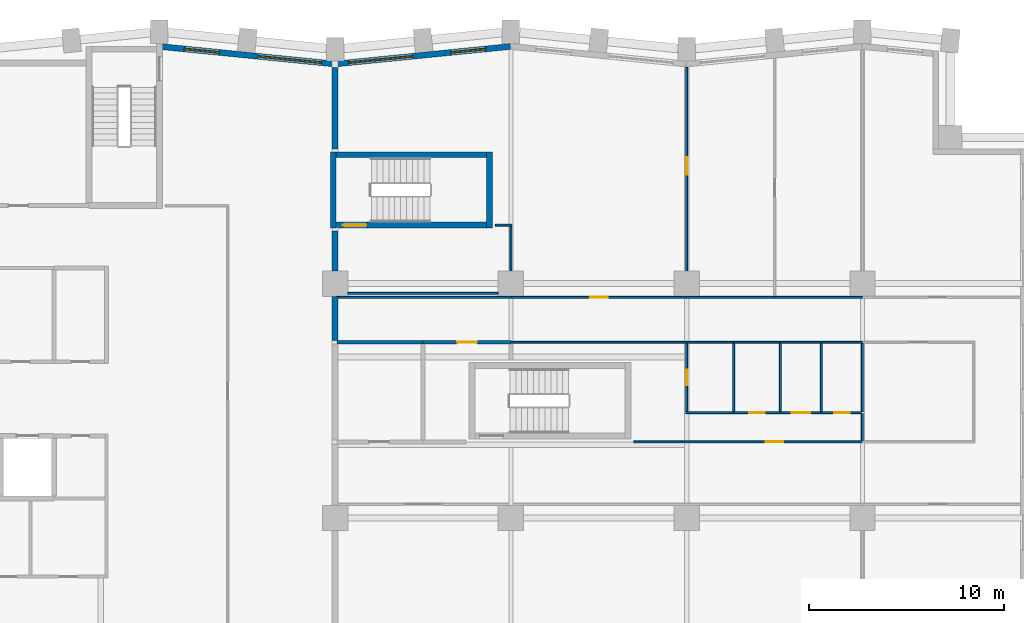
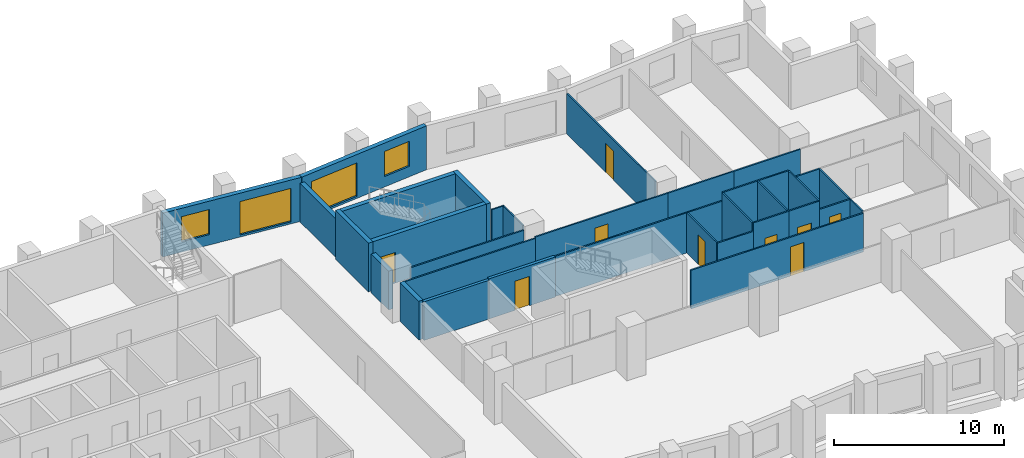
# One storey, part 7 of 11: 35 walls, 9 doors, 4 windows, 13 openings.
"""IFC4 building model written with IfcOpenShell, lengths in metres."""

from ifc_helpers import new_model, si_unit, direction, frame, frame_2d, origin, place, context, subcontext, project, spatial, rectangle, extrude, material, layer, layer_set, type_object, element, fill, save


model = new_model("IFC4")

# Units and contexts
model_context = context("Model", 3, precision=1e-05, world=origin(), true_north=direction((0.0, 1.0)))
body_context = subcontext(model_context, "Body", "Model", "MODEL_VIEW")
ifc_project = project(units=[si_unit("LENGTHUNIT", "METRE"), si_unit("AREAUNIT", "SQUARE_METRE"), si_unit("VOLUMEUNIT", "CUBIC_METRE"), si_unit("PLANEANGLEUNIT", "RADIAN"), si_unit("MASSUNIT", "GRAM", prefix="KILO")], contexts=[model_context])

# Site, building, storey
site_placement = place(None, origin())
site = spatial("IfcSite", under=ifc_project, at=site_placement, CompositionType="ELEMENT")
building_placement = place(site_placement, origin())
building = spatial("IfcBuilding", under=site, at=building_placement, Name="Brondeck Convention Tower", CompositionType="ELEMENT")
storey_placement = place(building_placement, frame((0.0, 0.0, 115.10009765625)))
storey = spatial("IfcBuildingStorey", under=building, at=storey_placement, Name="L27", CompositionType="ELEMENT", Elevation=115.10009765625)

# Walls
ifc_material_1 = material(Name="Concrete compartment wall C30/37", Category="concrete")
ifc_layer_1 = layer(ifc_material_1, 0.300048828125)
ifc_layer_set_1 = layer_set([ifc_layer_1], Name="Compartment wall 300")
wall_type_1 = type_object("IfcWallType", Name="Compartment wall 300", PredefinedType="PARTITIONING", material=ifc_layer_set_1)
wall_1_placement = place(storey_placement, frame((36.0, 48.10009765625, 0.0), z_axis=(0.0, 0.0, 1.0), x_axis=(0.0, 1.0, 0.0)))
element("IfcWall", 1, at=wall_1_placement, inside=storey, type_object=wall_type_1, Name="FLR-L27-W054", PredefinedType="PARTITIONING", context=body_context, shape_type="SweptSolid", body=[
    extrude(rectangle(XDim=2.22998046875, YDim=0.300048828125, at=frame_2d((1.114990234375, 0.0))), origin(), (0.0, 0.0, 1.0), 2.77978515625),
])
wall_2_placement = place(storey_placement, frame((36.0, 51.655029296875, 0.0), z_axis=(0.0, 0.0, 1.0), x_axis=(0.0, 1.0, 0.0)))
element("IfcWall", 2, at=wall_2_placement, inside=storey, type_object=wall_type_1, Name="FLR-L27-W061", PredefinedType="PARTITIONING", context=body_context, shape_type="SweptSolid", body=[
    extrude(rectangle(XDim=2.044921875, YDim=0.300048828125, at=frame_2d((1.0224609375, 0.0))), origin(), (0.0, 0.0, 1.0), 2.77978515625),
])
wall_3_placement = place(storey_placement, frame((36.0, 57.89990234375, 0.0), z_axis=(0.0, 0.0, 1.0), x_axis=(0.0, 1.0, 0.0)))
element("IfcWall", 3, at=wall_3_placement, inside=storey, type_object=wall_type_1, Name="FLR-L27-W066", PredefinedType="PARTITIONING", context=body_context, shape_type="SweptSolid", body=[
    extrude(rectangle(XDim=4.175537109375, YDim=0.300048828125, at=frame_2d((2.087890625, 0.0))), origin(), (0.0, 0.0, 1.0), 2.77978515625),
])

# Wall, openings, windows
ifc_material_2 = material(Name="Precast concrete C50/60 bronze finish", Category="concrete")
ifc_layer_2 = layer(ifc_material_2, 0.070068359375, Name="Bronze precast facing")
ifc_material_3 = material(Name="Mineral wool")
ifc_layer_3 = layer(ifc_material_3, 0.159912109375, Name="Insulation")
ifc_material_4 = material(Name="Concrete C35/45", Category="concrete")
ifc_layer_4 = layer(ifc_material_4, 0.070068359375, Name="Backing")
ifc_layer_set_2 = layer_set([ifc_layer_2, ifc_layer_3, ifc_layer_4], Name="External infill wall, precast concrete C50/60 bronze facing")
wall_type_2 = type_object("IfcWallType", Name="External infill wall, precast concrete C50/60 bronze facing", PredefinedType="SOLIDWALL", material=ifc_layer_set_2)
wall_4_placement = place(storey_placement, frame((35.985107421875, 62.244873046875, 0.0), z_axis=(0.0, 0.0, 1.0), x_axis=(0.995037993253, 0.099495688264, 0.0)))
wall_4 = element("IfcWall", 4, at=wall_4_placement, inside=storey, type_object=wall_type_2, Name="ENV-EW-L27-P0-A-N-09", PredefinedType="SOLIDWALL", context=body_context, shape_type="SweptSolid", body=[
    extrude(rectangle(XDim=9.030029296875, YDim=0.300048828125, at=frame_2d((4.51513671875, 0.0))), origin(), (0.0, 0.0, 1.0), 3.14990234375),
])
opening_1_placement = place(wall_4_placement, frame((0.701171875, 0.0, 0.14990234375)))
opening_1 = element("IfcOpeningElement", 5, at=opening_1_placement, cuts=wall_4, Name="Opening W9", PredefinedType="OPENING", context=body_context, shape_type="SweptSolid", body=[
    extrude(rectangle(XDim=3.300048828125, YDim=2.39990234375, at=frame_2d((1.64990234375, 1.199951171875))), frame((0.0, 0.159912109375, 0.0), z_axis=(0.0, -1.0, 0.0), x_axis=(1.0, 0.0, 0.0)), (0.0, 0.0, 1.0), 0.320068359375),
])
opening_2_placement = place(wall_4_placement, frame((5.9736328125, 0.0, 0.75)))
opening_2 = element("IfcOpeningElement", 6, at=opening_2_placement, cuts=wall_4, Name="Opening W10", PredefinedType="OPENING", context=body_context, shape_type="SweptSolid", body=[
    extrude(rectangle(XDim=1.800048828125, YDim=1.800048828125, at=frame_2d((0.89990234375, 0.89990234375))), frame((0.0, 0.159912109375, 0.0), z_axis=(0.0, -1.0, 0.0), x_axis=(1.0, 0.0, 0.0)), (0.0, 0.0, 1.0), 0.320068359375),
])
ifc_material_5 = material(Name="Bronze tinted double glazing", Category="glass")
window_type_1 = type_object("IfcWindowType", Name="Glazed flute window, bronze tinted", PartitioningType="SINGLE_PANEL", PredefinedType="WINDOW", material=ifc_material_5)
window_1_placement = place(opening_1_placement, origin())
window_1 = element("IfcWindow", 7, at=window_1_placement, inside=storey, type_object=window_type_1, Name="ENV-WN-L27-P0-A-N-08", OverallHeight=2.39990234375, OverallWidth=3.300048828125, PartitioningType="SINGLE_PANEL", PredefinedType="WINDOW", context=body_context, shape_type="SweptSolid", body=[
    extrude(rectangle(XDim=3.300048828125, YDim=2.39990234375, at=frame_2d((1.64990234375, 1.199951171875))), frame((0.0, 0.030029296875, 0.0), z_axis=(0.0, -1.0, 0.0), x_axis=(1.0, 0.0, 0.0)), (0.0, 0.0, 1.0), 0.06005859375),
])
fill(opening_1, window_1)
window_type_2 = type_object("IfcWindowType", Name="Punched window, bronze tinted", PartitioningType="SINGLE_PANEL", PredefinedType="WINDOW", material=ifc_material_5)
window_2_placement = place(opening_2_placement, origin())
window_2 = element("IfcWindow", 8, at=window_2_placement, inside=storey, type_object=window_type_2, Name="ENV-WN-L27-P0-A-N-09", OverallHeight=1.800048828125, OverallWidth=1.800048828125, PartitioningType="SINGLE_PANEL", PredefinedType="WINDOW", context=body_context, shape_type="SweptSolid", body=[
    extrude(rectangle(XDim=1.800048828125, YDim=1.800048828125, at=frame_2d((0.89990234375, 0.89990234375))), frame((0.0, 0.030029296875, 0.0), z_axis=(0.0, -1.0, 0.0), x_axis=(1.0, 0.0, 0.0)), (0.0, 0.0, 1.0), 0.06005859375),
])
fill(opening_2, window_2)

wall_5_placement = place(storey_placement, frame((27.07470703125, 63.138916015625, 0.0), z_axis=(0.0, 0.0, 1.0), x_axis=(0.995036108601, -0.099514534519, 0.0)))
wall_5 = element("IfcWall", 9, at=wall_5_placement, inside=storey, type_object=wall_type_2, Name="ENV-EW-L27-P0-A-N-07", PredefinedType="SOLIDWALL", context=body_context, shape_type="SweptSolid", body=[
    extrude(rectangle(XDim=8.93994140625, YDim=0.300048828125, at=frame_2d((4.469970703125, 0.0))), origin(), (0.0, 0.0, 1.0), 3.14990234375),
])
opening_3_placement = place(wall_5_placement, frame((1.211181640625, 0.0, 0.75)))
opening_3 = element("IfcOpeningElement", 10, at=opening_3_placement, cuts=wall_5, Name="Opening W10", PredefinedType="OPENING", context=body_context, shape_type="SweptSolid", body=[
    extrude(rectangle(XDim=1.800048828125, YDim=1.800048828125, at=frame_2d((0.89990234375, 0.89990234375))), frame((0.0, 0.159912109375, 0.0), z_axis=(0.0, -1.0, 0.0), x_axis=(1.0, 0.0, 0.0)), (0.0, 0.0, 1.0), 0.320068359375),
])
opening_4_placement = place(wall_5_placement, frame((4.983642578125, 0.0, 0.14990234375)))
opening_4 = element("IfcOpeningElement", 11, at=opening_4_placement, cuts=wall_5, Name="Opening W9", PredefinedType="OPENING", context=body_context, shape_type="SweptSolid", body=[
    extrude(rectangle(XDim=3.300048828125, YDim=2.39990234375, at=frame_2d((1.64990234375, 1.199951171875))), frame((0.0, 0.159912109375, 0.0), z_axis=(0.0, -1.0, 0.0), x_axis=(1.0, 0.0, 0.0)), (0.0, 0.0, 1.0), 0.320068359375),
])
window_3_placement = place(opening_4_placement, origin())
window_3 = element("IfcWindow", 12, at=window_3_placement, inside=storey, type_object=window_type_1, Name="ENV-WN-L27-P0-A-N-07", OverallHeight=2.39990234375, OverallWidth=3.300048828125, PartitioningType="SINGLE_PANEL", PredefinedType="WINDOW", context=body_context, shape_type="SweptSolid", body=[
    extrude(rectangle(XDim=3.300048828125, YDim=2.39990234375, at=frame_2d((1.64990234375, 1.199951171875))), frame((0.0, 0.030029296875, 0.0), z_axis=(0.0, -1.0, 0.0), x_axis=(1.0, 0.0, 0.0)), (0.0, 0.0, 1.0), 0.06005859375),
])
fill(opening_4, window_3)
window_4_placement = place(opening_3_placement, origin())
window_4 = element("IfcWindow", 13, at=window_4_placement, inside=storey, type_object=window_type_2, Name="ENV-WN-L27-P0-A-N-06", OverallHeight=1.800048828125, OverallWidth=1.800048828125, PartitioningType="SINGLE_PANEL", PredefinedType="WINDOW", context=body_context, shape_type="SweptSolid", body=[
    extrude(rectangle(XDim=1.800048828125, YDim=1.800048828125, at=frame_2d((0.89990234375, 0.89990234375))), frame((0.0, 0.030029296875, 0.0), z_axis=(0.0, -1.0, 0.0), x_axis=(1.0, 0.0, 0.0)), (0.0, 0.0, 1.0), 0.06005859375),
])
fill(opening_3, window_4)

# Wall
ifc_material_6 = material(Name="Concrete block wall C16/20", Category="concrete")
ifc_layer_5 = layer(ifc_material_6, 0.199951171875)
ifc_layer_set_3 = layer_set([ifc_layer_5], Name="Plant room wall 200")
wall_type_3 = type_object("IfcWallType", Name="Plant room wall 200", PredefinedType="PARTITIONING", material=ifc_layer_set_3)
wall_6_placement = place(storey_placement, frame((40.5, 48.0, 0.0), z_axis=(0.0, 0.0, 1.0), x_axis=(-1.0, 0.0, 0.0)))
element("IfcWall", 14, at=wall_6_placement, inside=storey, type_object=wall_type_3, Name="FLR-L27-W046", PredefinedType="PARTITIONING", context=body_context, shape_type="SweptSolid", body=[
    extrude(rectangle(XDim=4.39990234375, YDim=0.199951171875, at=frame_2d((2.199951171875, 0.0))), origin(), (0.0, 0.0, 1.0), 2.77978515625),
])

# Wall, opening, door
wall_7_placement = place(storey_placement, frame((45.0, 48.0, 0.0), z_axis=(0.0, 0.0, 1.0), x_axis=(-1.0, 0.0, 0.0)))
wall_7 = element("IfcWall", 15, at=wall_7_placement, inside=storey, type_object=wall_type_3, Name="FLR-L27-W047", PredefinedType="PARTITIONING", context=body_context, shape_type="SweptSolid", body=[
    extrude(rectangle(XDim=4.5, YDim=0.199951171875, at=frame_2d((2.25, 0.0))), origin(), (0.0, 0.0, 1.0), 2.8798828125),
])
opening_5_placement = place(wall_7_placement, frame((1.75, 0.0, 0.0)))
opening_5 = element("IfcOpeningElement", 16, at=opening_5_placement, cuts=wall_7, Name="Opening OF-C-003", PredefinedType="OPENING", context=body_context, shape_type="SweptSolid", body=[
    extrude(rectangle(XDim=1.0, YDim=2.10009765625, at=frame_2d((0.5, 1.050048828125))), frame((0.0, 0.10986328125, 0.0), z_axis=(0.0, -1.0, 0.0), x_axis=(1.0, 0.0, 0.0)), (0.0, 0.0, 1.0), 0.219970703125),
])
ifc_material_7 = material(Name="Steel fire door leaf", Category="steel")
door_type_1 = type_object("IfcDoorType", Name="Plant room door 1000", OperationType="NOTDEFINED", PredefinedType="DOOR", material=ifc_material_7)
door_1_placement = place(opening_5_placement, origin())
door_1 = element("IfcDoor", 17, at=door_1_placement, inside=storey, type_object=door_type_1, Name="Door OF-C-003", OperationType="SINGLE_SWING_LEFT", OverallHeight=2.10009765625, OverallWidth=1.0, PredefinedType="DOOR", context=body_context, shape_type="SweptSolid", body=[
    extrude(rectangle(XDim=1.0, YDim=2.10009765625, at=frame_2d((0.5, 1.050048828125))), frame((0.0, 0.02490234375, 0.0), z_axis=(0.0, -1.0, 0.0), x_axis=(1.0, 0.0, 0.0)), (0.0, 0.0, 1.0), 0.050048828125),
])
fill(opening_5, door_1)

ifc_material_8 = material(Name="Gypsum board partition on steel studs", Category="steel")
ifc_layer_6 = layer(ifc_material_8, 0.10009765625)
ifc_layer_set_4 = layer_set([ifc_layer_6], Name="Room partition 100")
wall_type_4 = type_object("IfcWallType", Name="Room partition 100", PredefinedType="PARTITIONING", material=ifc_layer_set_4)
wall_8_placement = place(storey_placement, frame((51.300048828125, 42.89990234375, 0.0), z_axis=(0.0, 0.0, 1.0), x_axis=(1.0, 0.0, 0.0)))
wall_8 = element("IfcWall", 18, at=wall_8_placement, inside=storey, type_object=wall_type_4, Name="FLR-L27-W030", PredefinedType="PARTITIONING", context=body_context, shape_type="SweptSolid", body=[
    extrude(rectangle(XDim=11.699951171875, YDim=0.10009765625, at=frame_2d((5.85009765625, 0.0))), origin(), (0.0, 0.0, 1.0), 2.77978515625),
])
opening_6_placement = place(wall_8_placement, frame((6.75, 0.0, 0.0)))
opening_6 = element("IfcOpeningElement", 19, at=opening_6_placement, cuts=wall_8, Name="Opening OF-C-004", PredefinedType="OPENING", context=body_context, shape_type="SweptSolid", body=[
    extrude(rectangle(XDim=0.89990234375, YDim=2.10009765625, at=frame_2d((0.449951171875, 1.050048828125))), frame((0.0, 0.06005859375, 0.0), z_axis=(0.0, -1.0, 0.0), x_axis=(1.0, 0.0, 0.0)), (0.0, 0.0, 1.0), 0.1201171875),
])
ifc_material_9 = material(Name="Solid timber door leaf", Category="wood")
door_type_2 = type_object("IfcDoorType", Name="Single door 900", OperationType="NOTDEFINED", PredefinedType="DOOR", material=ifc_material_9)
door_2_placement = place(opening_6_placement, origin())
door_2 = element("IfcDoor", 20, at=door_2_placement, inside=storey, type_object=door_type_2, Name="Door OF-C-004", OperationType="SINGLE_SWING_LEFT", OverallHeight=2.10009765625, OverallWidth=0.89990234375, PredefinedType="DOOR", context=body_context, shape_type="SweptSolid", body=[
    extrude(rectangle(XDim=0.89990234375, YDim=2.10009765625, at=frame_2d((0.449951171875, 1.050048828125))), frame((0.0, 0.02490234375, 0.0), z_axis=(0.0, -1.0, 0.0), x_axis=(1.0, 0.0, 0.0)), (0.0, 0.0, 1.0), 0.050048828125),
])
fill(opening_6, door_2)

# Walls
wall_9_placement = place(storey_placement, frame((63.0, 44.35009765625, 0.0), z_axis=(0.0, 0.0, 1.0), x_axis=(0.0, -1.0, 0.0)))
element("IfcWall", 21, at=wall_9_placement, inside=storey, type_object=wall_type_4, Name="FLR-L27-W034", PredefinedType="PARTITIONING", context=body_context, shape_type="SweptSolid", body=[
    extrude(rectangle(XDim=1.400146484375, YDim=0.10009765625, at=frame_2d((0.7001953125, 0.0))), origin(), (0.0, 0.0, 1.0), 2.8798828125),
])
wall_10_placement = place(storey_placement, frame((53.949951171875, 44.39990234375, 0.0), z_axis=(0.0, 0.0, 1.0), x_axis=(1.0, 0.0, 0.0)))
element("IfcWall", 22, at=wall_10_placement, inside=storey, type_object=wall_type_4, Name="FLR-L27-W035", PredefinedType="PARTITIONING", context=body_context, shape_type="SweptSolid", body=[
    extrude(rectangle(XDim=2.449951171875, YDim=0.10009765625, at=frame_2d((1.22509765625, 0.0))), origin(), (0.0, 0.0, 1.0), 2.8798828125),
])

# Wall, opening, door
wall_11_placement = place(storey_placement, frame((56.39990234375, 44.39990234375, 0.0), z_axis=(0.0, 0.0, 1.0), x_axis=(1.0, 0.0, 0.0)))
wall_11 = element("IfcWall", 23, at=wall_11_placement, inside=storey, type_object=wall_type_4, Name="FLR-L27-W036", PredefinedType="PARTITIONING", context=body_context, shape_type="SweptSolid", body=[
    extrude(rectangle(XDim=2.400146484375, YDim=0.10009765625, at=frame_2d((1.2001953125, 0.0))), origin(), (0.0, 0.0, 1.0), 3.47998046875),
])
opening_7_placement = place(wall_11_placement, frame((0.800048828125, 0.0, 0.0)))
opening_7 = element("IfcOpeningElement", 24, at=opening_7_placement, cuts=wall_11, Name="Opening OF-C-006", PredefinedType="OPENING", context=body_context, shape_type="SweptSolid", body=[
    extrude(rectangle(XDim=0.800048828125, YDim=2.10009765625, at=frame_2d((0.39990234375, 1.050048828125))), frame((0.0, 0.06005859375, 0.0), z_axis=(0.0, -1.0, 0.0), x_axis=(1.0, 0.0, 0.0)), (0.0, 0.0, 1.0), 0.1201171875),
])
door_type_3 = type_object("IfcDoorType", Name="En-suite door 800", OperationType="NOTDEFINED", PredefinedType="DOOR", material=ifc_material_9)
door_3_placement = place(opening_7_placement, origin())
door_3 = element("IfcDoor", 25, at=door_3_placement, inside=storey, type_object=door_type_3, Name="Door OF-C-006", OperationType="SINGLE_SWING_RIGHT", OverallHeight=2.10009765625, OverallWidth=0.800048828125, PredefinedType="DOOR", context=body_context, shape_type="SweptSolid", body=[
    extrude(rectangle(XDim=0.800048828125, YDim=2.10009765625, at=frame_2d((0.39990234375, 1.050048828125))), frame((0.0, 0.02490234375, 0.0), z_axis=(0.0, -1.0, 0.0), x_axis=(1.0, 0.0, 0.0)), (0.0, 0.0, 1.0), 0.050048828125),
])
fill(opening_7, door_3)

wall_12_placement = place(storey_placement, frame((58.800048828125, 44.39990234375, 0.0), z_axis=(0.0, 0.0, 1.0), x_axis=(1.0, 0.0, 0.0)))
wall_12 = element("IfcWall", 26, at=wall_12_placement, inside=storey, type_object=wall_type_4, Name="FLR-L27-W037", PredefinedType="PARTITIONING", context=body_context, shape_type="SweptSolid", body=[
    extrude(rectangle(XDim=2.099853515625, YDim=0.10009765625, at=frame_2d((1.0498046875, 0.0))), origin(), (0.0, 0.0, 1.0), 3.47998046875),
])
opening_8_placement = place(wall_12_placement, frame((0.574951171875, 0.0, 0.0)))
opening_8 = element("IfcOpeningElement", 27, at=opening_8_placement, cuts=wall_12, Name="Opening OF-C-007", PredefinedType="OPENING", context=body_context, shape_type="SweptSolid", body=[
    extrude(rectangle(XDim=0.949951171875, YDim=2.10009765625, at=frame_2d((0.47509765625, 1.050048828125))), frame((0.0, 0.06005859375, 0.0), z_axis=(0.0, -1.0, 0.0), x_axis=(1.0, 0.0, 0.0)), (0.0, 0.0, 1.0), 0.1201171875),
])
door_type_4 = type_object("IfcDoorType", Name="Accessible door 950", OperationType="NOTDEFINED", PredefinedType="DOOR", material=ifc_material_9)
door_4_placement = place(opening_8_placement, origin())
door_4 = element("IfcDoor", 28, at=door_4_placement, inside=storey, type_object=door_type_4, Name="Door OF-C-007", OperationType="SINGLE_SWING_LEFT", OverallHeight=2.10009765625, OverallWidth=0.949951171875, PredefinedType="DOOR", context=body_context, shape_type="SweptSolid", body=[
    extrude(rectangle(XDim=0.949951171875, YDim=2.10009765625, at=frame_2d((0.47509765625, 1.050048828125))), frame((0.0, 0.02490234375, 0.0), z_axis=(0.0, -1.0, 0.0), x_axis=(1.0, 0.0, 0.0)), (0.0, 0.0, 1.0), 0.050048828125),
])
fill(opening_8, door_4)

wall_13_placement = place(storey_placement, frame((60.89990234375, 44.39990234375, 0.0), z_axis=(0.0, 0.0, 1.0), x_axis=(1.0, 0.0, 0.0)))
wall_13 = element("IfcWall", 29, at=wall_13_placement, inside=storey, type_object=wall_type_4, Name="FLR-L27-W038", PredefinedType="PARTITIONING", context=body_context, shape_type="SweptSolid", body=[
    extrude(rectangle(XDim=2.050048828125, YDim=0.10009765625, at=frame_2d((1.02490234375, 0.0))), origin(), (0.0, 0.0, 1.0), 2.8798828125),
])
opening_9_placement = place(wall_13_placement, frame((0.64990234375, 0.0, 0.0)))
opening_9 = element("IfcOpeningElement", 30, at=opening_9_placement, cuts=wall_13, Name="Opening OF-C-008", PredefinedType="OPENING", context=body_context, shape_type="SweptSolid", body=[
    extrude(rectangle(XDim=0.800048828125, YDim=2.10009765625, at=frame_2d((0.39990234375, 1.050048828125))), frame((0.0, 0.06005859375, 0.0), z_axis=(0.0, -1.0, 0.0), x_axis=(1.0, 0.0, 0.0)), (0.0, 0.0, 1.0), 0.1201171875),
])
ifc_material_10 = material(Name="Steel service door leaf", Category="steel")
door_type_5 = type_object("IfcDoorType", Name="Service door 800", OperationType="NOTDEFINED", PredefinedType="DOOR", material=ifc_material_10)
door_5_placement = place(opening_9_placement, origin())
door_5 = element("IfcDoor", 31, at=door_5_placement, inside=storey, type_object=door_type_5, Name="Door OF-C-008", OperationType="SINGLE_SWING_RIGHT", OverallHeight=2.10009765625, OverallWidth=0.800048828125, PredefinedType="DOOR", context=body_context, shape_type="SweptSolid", body=[
    extrude(rectangle(XDim=0.800048828125, YDim=2.10009765625, at=frame_2d((0.39990234375, 1.050048828125))), frame((0.0, 0.02490234375, 0.0), z_axis=(0.0, -1.0, 0.0), x_axis=(1.0, 0.0, 0.0)), (0.0, 0.0, 1.0), 0.050048828125),
])
fill(opening_9, door_5)

wall_14_placement = place(storey_placement, frame((54.0, 47.949951171875, 0.0), z_axis=(0.0, 0.0, 1.0), x_axis=(0.0, -1.0, 0.0)))
wall_14 = element("IfcWall", 32, at=wall_14_placement, inside=storey, type_object=wall_type_4, Name="FLR-L27-W041", PredefinedType="PARTITIONING", context=body_context, shape_type="SweptSolid", body=[
    extrude(rectangle(XDim=3.5, YDim=0.10009765625, at=frame_2d((1.75, 0.0))), origin(), (0.0, 0.0, 1.0), 2.8798828125),
])
opening_10_placement = place(wall_14_placement, frame((1.35009765625, 0.0, 0.0)))
opening_10 = element("IfcOpeningElement", 33, at=opening_10_placement, cuts=wall_14, Name="Opening OF-C-005", PredefinedType="OPENING", context=body_context, shape_type="SweptSolid", body=[
    extrude(rectangle(XDim=0.800048828125, YDim=2.10009765625, at=frame_2d((0.39990234375, 1.050048828125))), frame((0.0, 0.06005859375, 0.0), z_axis=(0.0, -1.0, 0.0), x_axis=(1.0, 0.0, 0.0)), (0.0, 0.0, 1.0), 0.1201171875),
])
door_6_placement = place(opening_10_placement, origin())
door_6 = element("IfcDoor", 34, at=door_6_placement, inside=storey, type_object=door_type_3, Name="Door OF-C-005", OperationType="SINGLE_SWING_LEFT", OverallHeight=2.10009765625, OverallWidth=0.800048828125, PredefinedType="DOOR", context=body_context, shape_type="SweptSolid", body=[
    extrude(rectangle(XDim=0.800048828125, YDim=2.10009765625, at=frame_2d((0.39990234375, 1.050048828125))), frame((0.0, 0.02490234375, 0.0), z_axis=(0.0, -1.0, 0.0), x_axis=(1.0, 0.0, 0.0)), (0.0, 0.0, 1.0), 0.050048828125),
])
fill(opening_10, door_6)

# Walls
for number, where, z_axis, x_axis, name in (
    (35, (56.39990234375, 47.949951171875, 0.0), (0.0, 0.0, 1.0), (0.0, -1.0, 0.0), "FLR-L27-W042"),
    (36, (58.800048828125, 47.949951171875, 0.0), (0.0, 0.0, 1.0), (0.0, -1.0, 0.0), "FLR-L27-W043"),
    (37, (60.89990234375, 47.949951171875, 0.0), (0.0, 0.0, 1.0), (0.0, -1.0, 0.0), "FLR-L27-W044"),
):
    element("IfcWall", number, at=place(storey_placement, frame(where, z_axis=z_axis, x_axis=x_axis)), inside=storey, type_object=wall_type_4, Name=name, PredefinedType="PARTITIONING", context=body_context, shape_type="SweptSolid", body=[
        extrude(rectangle(XDim=3.5, YDim=0.10009765625, at=frame_2d((1.75, 0.0))), origin(), (0.0, 0.0, 1.0), 3.47998046875),
    ])
wall_15_placement = place(storey_placement, frame((63.0, 47.949951171875, 0.0), z_axis=(0.0, 0.0, 1.0), x_axis=(0.0, -1.0, 0.0)))
element("IfcWall", 38, at=wall_15_placement, inside=storey, type_object=wall_type_4, Name="FLR-L27-W045", PredefinedType="PARTITIONING", context=body_context, shape_type="SweptSolid", body=[
    extrude(rectangle(XDim=3.5, YDim=0.10009765625, at=frame_2d((1.75, 0.0))), origin(), (0.0, 0.0, 1.0), 2.8798828125),
])
wall_16_placement = place(storey_placement, frame((54.0, 48.0, 0.0), z_axis=(0.0, 0.0, 1.0), x_axis=(-1.0, 0.0, 0.0)))
element("IfcWall", 39, at=wall_16_placement, inside=storey, type_object=wall_type_4, Name="FLR-L27-W048", PredefinedType="PARTITIONING", context=body_context, shape_type="SweptSolid", body=[
    extrude(rectangle(XDim=9.0, YDim=0.10009765625, at=frame_2d((4.5, 0.0))), origin(), (0.0, 0.0, 1.0), 2.8798828125),
])
wall_17_placement = place(storey_placement, frame((56.39990234375, 48.0, 0.0), z_axis=(0.0, 0.0, 1.0), x_axis=(-1.0, 0.0, 0.0)))
element("IfcWall", 40, at=wall_17_placement, inside=storey, type_object=wall_type_4, Name="FLR-L27-W049", PredefinedType="PARTITIONING", context=body_context, shape_type="SweptSolid", body=[
    extrude(rectangle(XDim=2.39990234375, YDim=0.10009765625, at=frame_2d((1.199951171875, 0.0))), origin(), (0.0, 0.0, 1.0), 2.8798828125),
])
wall_18_placement = place(storey_placement, frame((58.800048828125, 48.0, 0.0), z_axis=(0.0, 0.0, 1.0), x_axis=(-1.0, 0.0, 0.0)))
element("IfcWall", 41, at=wall_18_placement, inside=storey, type_object=wall_type_4, Name="FLR-L27-W050", PredefinedType="PARTITIONING", context=body_context, shape_type="SweptSolid", body=[
    extrude(rectangle(XDim=2.400146484375, YDim=0.10009765625, at=frame_2d((1.2001953125, 0.0))), origin(), (0.0, 0.0, 1.0), 3.47998046875),
])
wall_19_placement = place(storey_placement, frame((60.89990234375, 48.0, 0.0), z_axis=(0.0, 0.0, 1.0), x_axis=(-1.0, 0.0, 0.0)))
element("IfcWall", 42, at=wall_19_placement, inside=storey, type_object=wall_type_4, Name="FLR-L27-W051", PredefinedType="PARTITIONING", context=body_context, shape_type="SweptSolid", body=[
    extrude(rectangle(XDim=2.099853515625, YDim=0.10009765625, at=frame_2d((1.0498046875, 0.0))), origin(), (0.0, 0.0, 1.0), 3.47998046875),
])
wall_20_placement = place(storey_placement, frame((63.0, 48.0, 0.0), z_axis=(0.0, 0.0, 1.0), x_axis=(-1.0, 0.0, 0.0)))
element("IfcWall", 43, at=wall_20_placement, inside=storey, type_object=wall_type_4, Name="FLR-L27-W052", PredefinedType="PARTITIONING", context=body_context, shape_type="SweptSolid", body=[
    extrude(rectangle(XDim=2.10009765625, YDim=0.10009765625, at=frame_2d((1.050048828125, 0.0))), origin(), (0.0, 0.0, 1.0), 2.8798828125),
])
wall_21_placement = place(storey_placement, frame((36.050048828125, 50.300048828125, 0.0), z_axis=(0.0, 0.0, 1.0), x_axis=(1.0, 0.0, 0.0)))
element("IfcWall", 44, at=wall_21_placement, inside=storey, type_object=wall_type_4, Name="FLR-L27-W055", PredefinedType="PARTITIONING", context=body_context, shape_type="SweptSolid", body=[
    extrude(rectangle(XDim=8.949951171875, YDim=0.10009765625, at=frame_2d((4.47509765625, 0.0))), origin(), (0.0, 0.0, 1.0), 2.77978515625),
])

# Wall, opening, door
wall_22_placement = place(storey_placement, frame((45.0, 50.300048828125, 0.0), z_axis=(0.0, 0.0, 1.0), x_axis=(1.0, 0.0, 0.0)))
wall_22 = element("IfcWall", 45, at=wall_22_placement, inside=storey, type_object=wall_type_4, Name="FLR-L27-W056", PredefinedType="PARTITIONING", context=body_context, shape_type="SweptSolid", body=[
    extrude(rectangle(XDim=9.0, YDim=0.10009765625, at=frame_2d((4.5, 0.0))), origin(), (0.0, 0.0, 1.0), 2.8798828125),
])
opening_11_placement = place(wall_22_placement, frame((4.050048828125, 0.0, 0.0)))
opening_11 = element("IfcOpeningElement", 46, at=opening_11_placement, cuts=wall_22, Name="Opening OF-C-012", PredefinedType="OPENING", context=body_context, shape_type="SweptSolid", body=[
    extrude(rectangle(XDim=0.89990234375, YDim=2.10009765625, at=frame_2d((0.449951171875, 1.050048828125))), frame((0.0, 0.06005859375, 0.0), z_axis=(0.0, -1.0, 0.0), x_axis=(1.0, 0.0, 0.0)), (0.0, 0.0, 1.0), 0.1201171875),
])
door_7_placement = place(opening_11_placement, origin())
door_7 = element("IfcDoor", 47, at=door_7_placement, inside=storey, type_object=door_type_2, Name="Door OF-C-012", OperationType="SINGLE_SWING_LEFT", OverallHeight=2.10009765625, OverallWidth=0.89990234375, PredefinedType="DOOR", context=body_context, shape_type="SweptSolid", body=[
    extrude(rectangle(XDim=0.89990234375, YDim=2.10009765625, at=frame_2d((0.449951171875, 1.050048828125))), frame((0.0, 0.02490234375, 0.0), z_axis=(0.0, -1.0, 0.0), x_axis=(1.0, 0.0, 0.0)), (0.0, 0.0, 1.0), 0.050048828125),
])
fill(opening_11, door_7)

# Walls
for number, where, z_axis, x_axis, name in (
    (48, (54.0, 50.300048828125, 0.0), (0.0, 0.0, 1.0), (1.0, 0.0, 0.0), "FLR-L27-W057"),
    (49, (58.5, 50.300048828125, 0.0), (0.0, 0.0, 1.0), (1.0, 0.0, 0.0), "FLR-L27-W058"),
):
    element("IfcWall", number, at=place(storey_placement, frame(where, z_axis=z_axis, x_axis=x_axis)), inside=storey, type_object=wall_type_4, Name=name, PredefinedType="PARTITIONING", context=body_context, shape_type="SweptSolid", body=[
        extrude(rectangle(XDim=4.5, YDim=0.10009765625, at=frame_2d((2.25, 0.0))), origin(), (0.0, 0.0, 1.0), 2.8798828125),
    ])
wall_23_placement = place(storey_placement, frame((44.344970703125, 50.5, 0.0), z_axis=(0.0, 0.0, 1.0), x_axis=(-1.0, 0.0, 0.0)))
element("IfcWall", 50, at=wall_23_placement, inside=storey, type_object=wall_type_4, Name="FLR-L27-W060", PredefinedType="PARTITIONING", context=body_context, shape_type="SweptSolid", body=[
    extrude(rectangle(XDim=7.68994140625, YDim=0.10009765625, at=frame_2d((3.844970703125, 0.0))), origin(), (0.0, 0.0, 1.0), 3.47998046875),
])
wall_24_placement = place(storey_placement, frame((45.0, 53.949951171875, 0.0), z_axis=(0.0, 0.0, 1.0), x_axis=(0.0, -1.0, 0.0)))
element("IfcWall", 51, at=wall_24_placement, inside=storey, type_object=wall_type_4, Name="FLR-L27-W062", PredefinedType="PARTITIONING", context=body_context, shape_type="SweptSolid", body=[
    extrude(rectangle(XDim=2.294921875, YDim=0.10009765625, at=frame_2d((1.1474609375, 0.0))), origin(), (0.0, 0.0, 1.0), 2.8798828125),
])
wall_25_placement = place(storey_placement, frame((44.199951171875, 54.0, 0.0), z_axis=(0.0, 0.0, 1.0), x_axis=(1.0, 0.0, 0.0)))
element("IfcWall", 52, at=wall_25_placement, inside=storey, type_object=wall_type_4, Name="FLR-L27-W063", PredefinedType="PARTITIONING", context=body_context, shape_type="SweptSolid", body=[
    extrude(rectangle(XDim=0.85009765625, YDim=0.10009765625, at=frame_2d((0.425048828125, 0.0))), origin(), (0.0, 0.0, 1.0), 2.8798828125),
])

# Wall, opening, door
wall_26_placement = place(storey_placement, frame((54.0, 62.075439453125, 0.0), z_axis=(0.0, 0.0, 1.0), x_axis=(0.0, -1.0, 0.0)))
wall_26 = element("IfcWall", 53, at=wall_26_placement, inside=storey, type_object=wall_type_4, Name="FLR-L27-W067", PredefinedType="PARTITIONING", context=body_context, shape_type="SweptSolid", body=[
    extrude(rectangle(XDim=10.42041015625, YDim=0.10009765625, at=frame_2d((5.210205078125, 0.0))), origin(), (0.0, 0.0, 1.0), 2.8798828125),
])
opening_12_placement = place(wall_26_placement, frame((4.6005859375, 0.0, 0.0)))
opening_12 = element("IfcOpeningElement", 54, at=opening_12_placement, cuts=wall_26, Name="Opening OF-C-013", PredefinedType="OPENING", context=body_context, shape_type="SweptSolid", body=[
    extrude(rectangle(XDim=0.89990234375, YDim=2.10009765625, at=frame_2d((0.449951171875, 1.050048828125))), frame((0.0, 0.06005859375, 0.0), z_axis=(0.0, -1.0, 0.0), x_axis=(1.0, 0.0, 0.0)), (0.0, 0.0, 1.0), 0.1201171875),
])
door_8_placement = place(opening_12_placement, origin())
door_8 = element("IfcDoor", 55, at=door_8_placement, inside=storey, type_object=door_type_2, Name="Door OF-C-013", OperationType="SINGLE_SWING_RIGHT", OverallHeight=2.10009765625, OverallWidth=0.89990234375, PredefinedType="DOOR", context=body_context, shape_type="SweptSolid", body=[
    extrude(rectangle(XDim=0.89990234375, YDim=2.10009765625, at=frame_2d((0.449951171875, 1.050048828125))), frame((0.0, 0.02490234375, 0.0), z_axis=(0.0, -1.0, 0.0), x_axis=(1.0, 0.0, 0.0)), (0.0, 0.0, 1.0), 0.050048828125),
])
fill(opening_12, door_8)

ifc_material_11 = material(Name="Concrete C70/85", Category="concrete")
ifc_layer_7 = layer(ifc_material_11, 0.300048828125)
ifc_layer_set_5 = layer_set([ifc_layer_7], Name="Stair enclosure wall 300 Concrete C70/85")
wall_type_5 = type_object("IfcWallType", Name="Stair enclosure wall 300 Concrete C70/85", PredefinedType="SHEAR", material=ifc_layer_set_5)
wall_27_placement = place(storey_placement, frame((36.050048828125, 54.0, 0.0), z_axis=(0.0, 0.0, 1.0), x_axis=(1.0, 0.0, 0.0)))
wall_27 = element("IfcWall", 56, at=wall_27_placement, inside=storey, type_object=wall_type_5, Name="L27 core wall", PredefinedType="SHEAR", context=body_context, shape_type="SweptSolid", body=[
    extrude(rectangle(XDim=7.699951171875, YDim=0.300048828125, at=frame_2d((3.85009765625, 0.0))), origin(), (0.0, 0.0, 1.0), 3.5),
])
opening_13_placement = place(wall_27_placement, frame((0.35009765625, 0.0, 0.0)))
opening_13 = element("IfcOpeningElement", 57, at=opening_13_placement, cuts=wall_27, Name="Opening C16-20", PredefinedType="OPENING", context=body_context, shape_type="SweptSolid", body=[
    extrude(rectangle(XDim=1.199951171875, YDim=2.199951171875, at=frame_2d((0.60009765625, 1.10009765625))), frame((0.0, 0.159912109375, 0.0), z_axis=(0.0, -1.0, 0.0), x_axis=(1.0, 0.0, 0.0)), (0.0, 0.0, 1.0), 0.320068359375),
])
ifc_material_12 = material(Name="Steel fire door", Category="steel")
door_type_6 = type_object("IfcDoorType", Name="Stair door 1200x2200 EI 90", OperationType="NOTDEFINED", PredefinedType="DOOR", material=ifc_material_12)
door_9_placement = place(opening_13_placement, origin())
door_9 = element("IfcDoor", 58, at=door_9_placement, inside=storey, type_object=door_type_6, Name="L27 Stair door ST-AE", OperationType="SINGLE_SWING_LEFT", OverallHeight=2.199951171875, OverallWidth=1.199951171875, PredefinedType="DOOR", context=body_context, shape_type="SweptSolid", body=[
    extrude(rectangle(XDim=1.199951171875, YDim=2.199951171875, at=frame_2d((0.60009765625, 1.10009765625))), frame((0.0, 0.02490234375, 0.0), z_axis=(0.0, -1.0, 0.0), x_axis=(1.0, 0.0, 0.0)), (0.0, 0.0, 1.0), 0.050048828125),
])
fill(opening_13, door_9)

# Walls
wall_28_placement = place(storey_placement, frame((36.050048828125, 57.60009765625, 0.0), z_axis=(0.0, 0.0, 1.0), x_axis=(1.0, 0.0, 0.0)))
element("IfcWall", 59, at=wall_28_placement, inside=storey, type_object=wall_type_5, Name="L27 core wall", PredefinedType="SHEAR", context=body_context, shape_type="SweptSolid", body=[
    extrude(rectangle(XDim=7.699951171875, YDim=0.300048828125, at=frame_2d((3.85009765625, 0.0))), origin(), (0.0, 0.0, 1.0), 3.5),
])
for number, where, z_axis, x_axis, name in (
    (60, (35.89990234375, 53.85009765625, 0.0), (0.0, 0.0, 1.0), (0.0, 1.0, 0.0), "L27 core wall"),
    (61, (43.89990234375, 53.85009765625, 0.0), (0.0, 0.0, 1.0), (0.0, 1.0, 0.0), "L27 core wall"),
):
    element("IfcWall", number, at=place(storey_placement, frame(where, z_axis=z_axis, x_axis=x_axis)), inside=storey, type_object=wall_type_5, Name=name, PredefinedType="SHEAR", context=body_context, shape_type="SweptSolid", body=[
        extrude(rectangle(XDim=3.89990234375, YDim=0.300048828125, at=frame_2d((1.949951171875, 0.0))), origin(), (0.0, 0.0, 1.0), 3.5),
    ])

save(model, "model.ifc")
